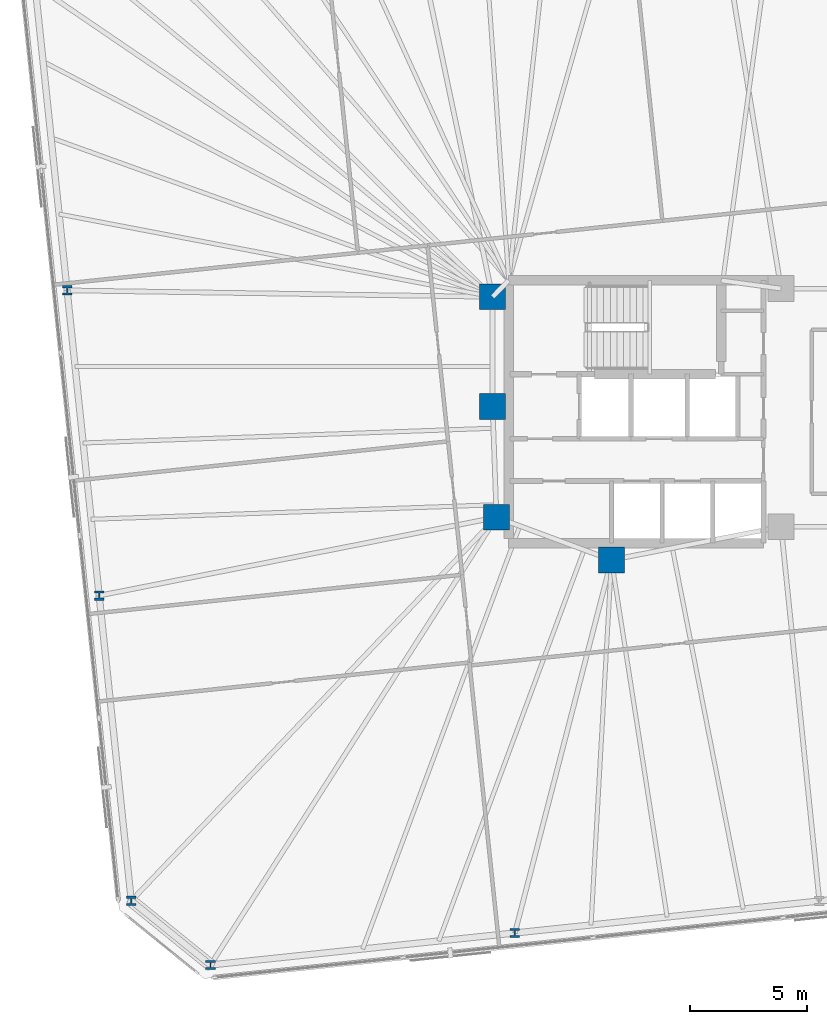
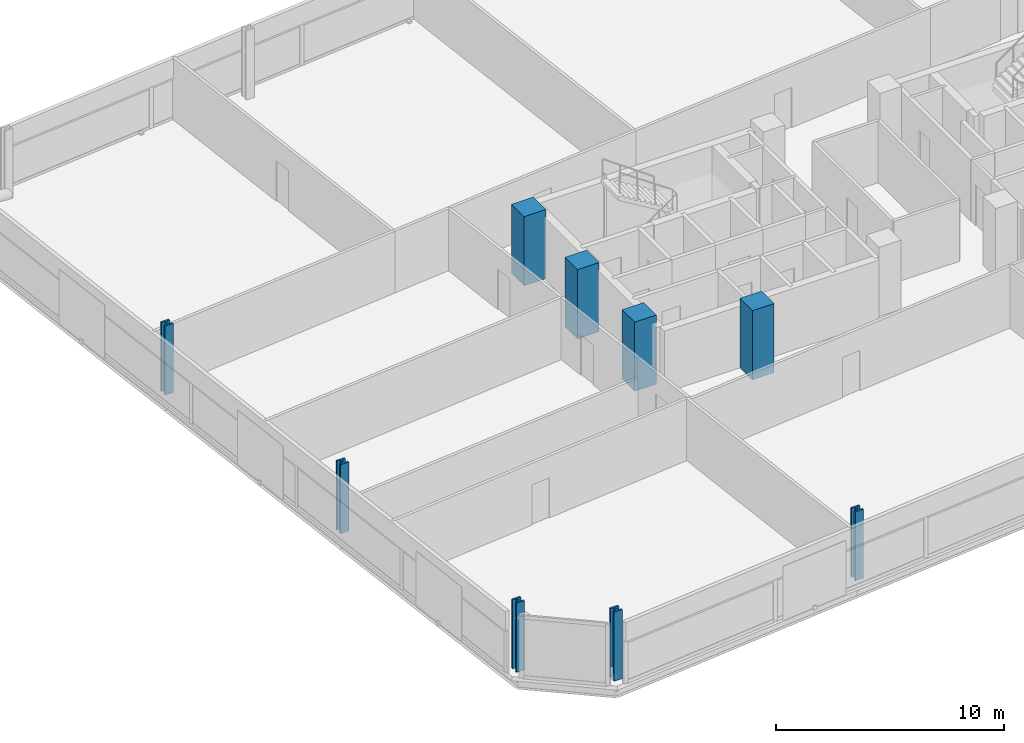
# One storey, part 1 of 18: 9 columns.
"""IFC4 building model written with IfcOpenShell, lengths in metres."""

from ifc_helpers import new_model, si_unit, direction, frame, origin, origin_2d, place, context, subcontext, project, spatial, rectangle, i_section, extrude, material, material_profile, profile_set, type_object, element, save


model = new_model("IFC4")

# Units and contexts
model_context = context("Model", 3, precision=1e-05, world=origin(), true_north=direction((0.0, 1.0)))
body_context = subcontext(model_context, "Body", "Model", "MODEL_VIEW")
ifc_project = project(units=[si_unit("LENGTHUNIT", "METRE"), si_unit("AREAUNIT", "SQUARE_METRE"), si_unit("VOLUMEUNIT", "CUBIC_METRE"), si_unit("PLANEANGLEUNIT", "RADIAN"), si_unit("MASSUNIT", "GRAM", prefix="KILO")], contexts=[model_context])

# Site, building, storey
site_placement = place(None, origin())
site = spatial("IfcSite", under=ifc_project, at=site_placement, CompositionType="ELEMENT")
building_placement = place(site_placement, origin())
building = spatial("IfcBuilding", under=site, at=building_placement, Name="Menara Jurai Vektor", CompositionType="ELEMENT")
storey_placement = place(building_placement, frame((0.0, 0.0, 139.199951171875)))
storey = spatial("IfcBuildingStorey", under=building, at=storey_placement, Name="L35", CompositionType="ELEMENT", Elevation=139.199951171875)

# Columns
ifc_material_1 = material(Name="Concrete C50/60", Category="concrete")
ifc_material_profile_1 = material_profile(ifc_material_1, rectangle(XDim=1.10009765625, YDim=1.10009765625, at=origin_2d()), Name="RC 1100x1100")
ifc_profile_set_1 = profile_set([ifc_material_profile_1], Name="Concrete C50/60")
column_type_1 = type_object("IfcColumnType", Name="STR-COL-RC1100", PredefinedType="COLUMN", material=ifc_profile_set_1)
for number, where, z_axis, x_axis, name in (
    (1, (-15.25, 4.89990234375, 0.0), (0.0, 0.0, 1.0), (1.0, 0.0, 0.0), "Core Spine Column CW-NW L35"),
    (2, (-15.25, 0.219970703125, 0.0), (0.0, 0.0, 1.0), (1.0, 0.0, 0.0), "Core Spine Column CW-WM L35"),
    (3, (-15.080078125, -4.5, 0.0), (0.0, 0.0, 1.0), (1.0, 0.0, 0.0), "Core Spine Column CW-SW L35"),
    (4, (-10.179931640625, -6.320068359375, 0.0), (0.0, 0.0, 1.0), (1.0, 0.0, 0.0), "Core Spine Column CW-SM L35"),
):
    element("IfcColumn", number, at=place(storey_placement, frame(where, z_axis=z_axis, x_axis=x_axis)), inside=storey, type_object=column_type_1, Name=name, PredefinedType="COLUMN", context=body_context, shape_type="SweptSolid", body=[
        extrude(rectangle(XDim=1.10009765625, YDim=1.10009765625, at=origin_2d()), origin(), (0.0, 0.0, 1.0), 3.699951171875),
    ])
ifc_material_2 = material(Name="Steel S460", Category="steel")
ifc_material_profile_2 = material_profile(ifc_material_2, i_section(OverallWidth=0.4130859375, OverallDepth=0.39794921875, WebThickness=0.055908203125, FlangeThickness=0.089111328125, FilletRadius=0.014892578125, at=origin_2d()), Name="HD 400x744")
ifc_profile_set_2 = profile_set([ifc_material_profile_2], Name="Steel S460")
column_type_2 = type_object("IfcColumnType", Name="STR-EXO-BLK2", PredefinedType="COLUMN", material=ifc_profile_set_2)
for number, where, z_axis, x_axis, name in (
    (5, (-27.2763671875, -23.586181640625, 0.0), (0.0, 0.0, 1.0), (1.0, 0.0, 0.0), "Exoskeleton Column BLK2-S1 L35"),
    (6, (-14.296630859375, -22.221923828125, 0.0), (0.0, 0.0, 1.0), (1.0, 0.0, 0.0), "Exoskeleton Column BLK2-S2 L35"),
    (7, (-33.388427734375, 5.175048828125, 0.0), (0.0, 0.0, 1.0), (1.0, 0.0, 0.0), "Exoskeleton Column BLK2-W2 L35"),
    (8, (-32.0205078125, -7.83837890625, 0.0), (0.0, 0.0, 1.0), (1.0, 0.0, 0.0), "Exoskeleton Column BLK2-W3 L35"),
    (9, (-30.65283203125, -20.85205078125, 0.0), (0.0, 0.0, 1.0), (1.0, 0.0, 0.0), "Exoskeleton Column BLK2-W4 L35"),
):
    element("IfcColumn", number, at=place(storey_placement, frame(where, z_axis=z_axis, x_axis=x_axis)), inside=storey, type_object=column_type_2, Name=name, PredefinedType="COLUMN", context=body_context, shape_type="SweptSolid", body=[
        extrude(i_section(OverallWidth=0.4130859375, OverallDepth=0.39794921875, WebThickness=0.055908203125, FlangeThickness=0.089111328125, FilletRadius=0.014892578125, at=origin_2d()), origin(), (0.0, 0.0, 1.0), 3.699951171875),
    ])

save(model, "model.ifc")
